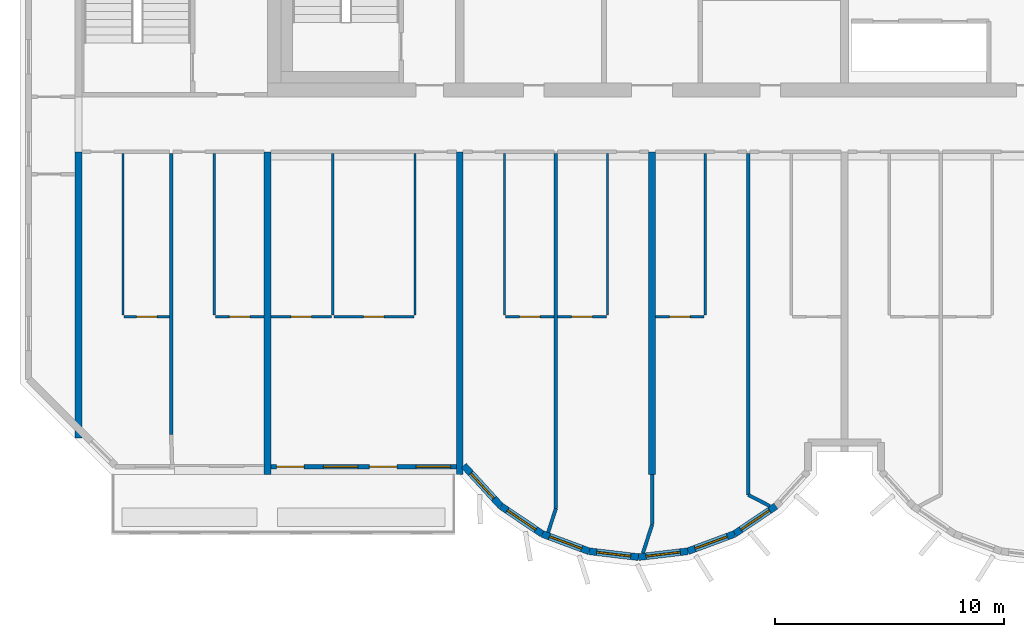
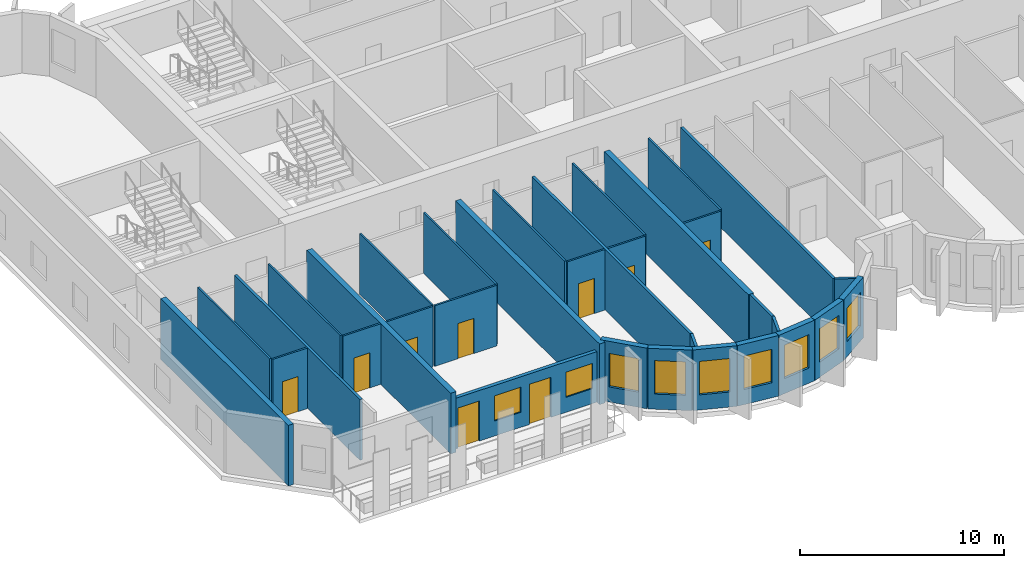
# One storey, part 2 of 11: 33 walls, 9 doors, 9 windows, 18 openings.
"""IFC4 building model written with IfcOpenShell, lengths in metres."""

from ifc_helpers import new_model, si_unit, direction, frame, frame_2d, origin, place, context, subcontext, project, spatial, rectangle, extrude, source, transform, mapped, material, layer, layer_set, type_object, element, fill, save


model = new_model("IFC4")

# Units and contexts
model_context = context("Model", 3, precision=1e-05, world=origin(), true_north=direction((0.0, 1.0)))
body_context = subcontext(model_context, "Body", "Model", "MODEL_VIEW")
ifc_project = project(units=[si_unit("LENGTHUNIT", "METRE"), si_unit("AREAUNIT", "SQUARE_METRE"), si_unit("VOLUMEUNIT", "CUBIC_METRE"), si_unit("PLANEANGLEUNIT", "RADIAN"), si_unit("MASSUNIT", "GRAM", prefix="KILO")], contexts=[model_context])

# Site, building, storey
site_placement = place(None, origin())
site = spatial("IfcSite", under=ifc_project, at=site_placement, CompositionType="ELEMENT")
building_placement = place(site_placement, origin())
building = spatial("IfcBuilding", under=site, at=building_placement, Name="Vanashikhar Sky Hotel", CompositionType="ELEMENT")
storey_placement = place(building_placement, frame((0.0, 0.0, 229.60009765625)))
storey = spatial("IfcBuildingStorey", under=building, at=storey_placement, Name="L55", CompositionType="ELEMENT", Elevation=229.60009765625)

# Walls
ifc_material_1 = material(Name="Concrete M60", Category="concrete")
ifc_layer_1 = layer(ifc_material_1, 0.300048828125)
ifc_layer_set_1 = layer_set([ifc_layer_1], Name="RC shear wall 300 Concrete M60")
wall_type_1 = type_object("IfcWallType", Name="RC shear wall 300 Concrete M60", PredefinedType="SHEAR", material=ifc_layer_set_1)
shared_shape_1 = source(origin(), body_context, "Body", "SweptSolid", [
    extrude(rectangle(XDim=12.5, YDim=0.300048828125, at=frame_2d((6.25, 0.0))), origin(), (0.0, 0.0, 1.0), 3.619873046875),
])
wall_1_placement = place(storey_placement, frame((16.949951171875, 7.10009765625, 0.0), z_axis=(0.0, 0.0, 1.0), x_axis=(0.0, 1.0, 0.0)))
element("IfcWall", 1, at=wall_1_placement, inside=storey, type_object=wall_type_1, Name="CW-L55-XW03-1", PredefinedType="SHEAR", context=body_context, shape_type="MappedRepresentation", body=[
    mapped(shared_shape_1, transform((0.0, 0.0, 0.0), scale=1.0)),
])
shared_shape_2 = source(origin(), body_context, "Body", "SweptSolid", [
    extrude(rectangle(XDim=14.10009765625, YDim=0.300048828125, at=frame_2d((7.050048828125, 0.0))), origin(), (0.0, 0.0, 1.0), 3.619873046875),
])
for number, where, z_axis, x_axis, name in (
    (2, (25.199951171875, 5.5, 0.0), (0.0, 0.0, 1.0), (0.0, 1.0, 0.0), "CW-L55-XW04-1"),
    (3, (33.60009765625, 5.5, 0.0), (0.0, 0.0, 1.0), (0.0, 1.0, 0.0), "CW-L55-XW05-1"),
    (4, (42.0, 5.5, 0.0), (0.0, 0.0, 1.0), (0.0, 1.0, 0.0), "CW-L55-XW06-1"),
):
    element("IfcWall", number, at=place(storey_placement, frame(where, z_axis=z_axis, x_axis=x_axis)), inside=storey, type_object=wall_type_1, Name=name, PredefinedType="SHEAR", context=body_context, shape_type="MappedRepresentation", body=[
        mapped(shared_shape_2, transform((0.0, 0.0, 0.0), scale=1.0)),
    ])

# Wall, openings, windows, doors
ifc_material_2 = material(Name="Concrete M50", Category="concrete")
ifc_layer_2 = layer(ifc_material_2, 0.199951171875)
ifc_layer_set_2 = layer_set([ifc_layer_2], Name="Front window wall 200")
wall_type_2 = type_object("IfcWallType", Name="Front window wall 200", PredefinedType="SOLIDWALL", material=ifc_layer_set_2)
shared_shape_3 = source(origin(), body_context, "Body", "SweptSolid", [
    extrude(rectangle(XDim=8.099853515625, YDim=0.199951171875, at=frame_2d((4.0498046875, 0.0))), origin(), (0.0, 0.0, 1.0), 3.02001953125),
])
wall_2_placement = place(storey_placement, frame((25.35009765625, 5.85009765625, 0.0), z_axis=(0.0, 0.0, 1.0), x_axis=(1.0, 0.0, 0.0)))
wall_2 = element("IfcWall", 5, at=wall_2_placement, inside=storey, type_object=wall_type_2, Name="Front window wall", PredefinedType="SOLIDWALL", context=body_context, shape_type="MappedRepresentation", body=[
    mapped(shared_shape_3, transform((0.0, 0.0, 0.0), scale=1.0)),
])
shared_shape_4 = source(origin(), body_context, "Body", "SweptSolid", [
    extrude(rectangle(XDim=1.199951171875, YDim=2.39990234375, at=frame_2d((0.60009765625, 1.199951171875))), frame((0.0, 0.10986328125, 0.0), z_axis=(0.0, -1.0, 0.0), x_axis=(1.0, 0.0, 0.0)), (0.0, 0.0, 1.0), 0.219970703125),
])
opening_1_placement = place(wall_2_placement, frame((0.25, 0.0, 0.0)))
opening_1 = element("IfcOpeningElement", 6, at=opening_1_placement, cuts=wall_2, Name="Opening BD-01", PredefinedType="OPENING", context=body_context, shape_type="MappedRepresentation", body=[
    mapped(shared_shape_4, transform((0.0, 0.0, 0.0), scale=1.0)),
])
shared_shape_5 = source(origin(), body_context, "Body", "SweptSolid", [
    extrude(rectangle(XDim=1.5, YDim=1.5, at=frame_2d((0.75, 0.75))), frame((0.0, 0.10986328125, 0.0), z_axis=(0.0, -1.0, 0.0), x_axis=(1.0, 0.0, 0.0)), (0.0, 0.0, 1.0), 0.219970703125),
])
opening_2_placement = place(wall_2_placement, frame((2.300048828125, 0.0, 0.89990234375)))
opening_2 = element("IfcOpeningElement", 7, at=opening_2_placement, cuts=wall_2, Name="Opening WN-1", PredefinedType="OPENING", context=body_context, shape_type="MappedRepresentation", body=[
    mapped(shared_shape_5, transform((0.0, 0.0, 0.0), scale=1.0)),
])
opening_3_placement = place(wall_2_placement, frame((4.300048828125, 0.0, 0.0)))
opening_3 = element("IfcOpeningElement", 8, at=opening_3_placement, cuts=wall_2, Name="Opening BD-02", PredefinedType="OPENING", context=body_context, shape_type="MappedRepresentation", body=[
    mapped(shared_shape_4, transform((0.0, 0.0, 0.0), scale=1.0)),
])
opening_4_placement = place(wall_2_placement, frame((6.35009765625, 0.0, 0.89990234375)))
opening_4 = element("IfcOpeningElement", 9, at=opening_4_placement, cuts=wall_2, Name="Opening WN-1", PredefinedType="OPENING", context=body_context, shape_type="MappedRepresentation", body=[
    mapped(shared_shape_5, transform((0.0, 0.0, 0.0), scale=1.0)),
])
ifc_material_3 = material(Name="Glass", Category="glass")
window_type_1 = type_object("IfcWindowType", Name="Window 1500 x 1500", PartitioningType="SINGLE_PANEL", PredefinedType="WINDOW", material=ifc_material_3)
shared_shape_6 = source(origin(), body_context, "Body", "SweptSolid", [
    extrude(rectangle(XDim=1.5, YDim=1.5, at=frame_2d((0.75, 0.75))), frame((0.0, 0.030029296875, 0.0), z_axis=(0.0, -1.0, 0.0), x_axis=(1.0, 0.0, 0.0)), (0.0, 0.0, 1.0), 0.06005859375),
])
window_1_placement = place(opening_2_placement, origin())
window_1 = element("IfcWindow", 10, at=window_1_placement, inside=storey, type_object=window_type_1, Name="Window WN-1", OverallHeight=1.5, OverallWidth=1.5, PartitioningType="SINGLE_PANEL", PredefinedType="WINDOW", context=body_context, shape_type="MappedRepresentation", body=[
    mapped(shared_shape_6, transform((0.0, 0.0, 0.0), scale=1.0)),
])
fill(opening_2, window_1)
window_2_placement = place(opening_4_placement, origin())
window_2 = element("IfcWindow", 11, at=window_2_placement, inside=storey, type_object=window_type_1, Name="Window WN-1", OverallHeight=1.5, OverallWidth=1.5, PartitioningType="SINGLE_PANEL", PredefinedType="WINDOW", context=body_context, shape_type="MappedRepresentation", body=[
    mapped(shared_shape_6, transform((0.0, 0.0, 0.0), scale=1.0)),
])
fill(opening_4, window_2)
ifc_material_4 = material(Name="Aluminium", Category="aluminium")
door_type_1 = type_object("IfcDoorType", Name="Balcony sliding door 1200 x 2400", OperationType="NOTDEFINED", PredefinedType="DOOR", material=ifc_material_4)
shared_shape_7 = source(origin(), body_context, "Body", "SweptSolid", [
    extrude(rectangle(XDim=1.199951171875, YDim=2.39990234375, at=frame_2d((0.60009765625, 1.199951171875))), frame((0.0, 0.02490234375, 0.0), z_axis=(0.0, -1.0, 0.0), x_axis=(1.0, 0.0, 0.0)), (0.0, 0.0, 1.0), 0.050048828125),
])
door_1_placement = place(opening_1_placement, origin())
door_1 = element("IfcDoor", 12, at=door_1_placement, inside=storey, type_object=door_type_1, Name="Balcony sliding door", OperationType="SLIDING_TO_LEFT", OverallHeight=2.39990234375, OverallWidth=1.199951171875, PredefinedType="DOOR", context=body_context, shape_type="MappedRepresentation", body=[
    mapped(shared_shape_7, transform((0.0, 0.0, 0.0), scale=1.0)),
])
fill(opening_1, door_1)
door_2_placement = place(opening_3_placement, origin())
door_2 = element("IfcDoor", 13, at=door_2_placement, inside=storey, type_object=door_type_1, Name="Balcony sliding door", OperationType="SLIDING_TO_RIGHT", OverallHeight=2.39990234375, OverallWidth=1.199951171875, PredefinedType="DOOR", context=body_context, shape_type="MappedRepresentation", body=[
    mapped(shared_shape_7, transform((0.0, 0.0, 0.0), scale=1.0)),
])
fill(opening_3, door_2)

# Wall, opening, window
ifc_layer_3 = layer(ifc_material_2, 0.300048828125)
ifc_layer_set_3 = layer_set([ifc_layer_3], Name="Lobe wall 300")
wall_type_3 = type_object("IfcWallType", Name="Lobe wall 300", PredefinedType="SOLIDWALL", material=ifc_layer_set_3)
shared_shape_8 = source(origin(), body_context, "Body", "SweptSolid", [
    extrude(rectangle(XDim=2.398193359375, YDim=0.300048828125, at=frame_2d((1.19921875, 0.0))), origin(), (0.0, 0.0, 1.0), 3.619873046875),
])
wall_3_placement = place(storey_placement, frame((33.776123046875, 5.89990234375, 0.0), z_axis=(0.0, 0.0, 1.0), x_axis=(0.675374189419, -0.737475222815, 0.0)))
wall_3 = element("IfcWall", 14, at=wall_3_placement, inside=storey, type_object=wall_type_3, Name="Lobe wall", PredefinedType="SOLIDWALL", context=body_context, shape_type="MappedRepresentation", body=[
    mapped(shared_shape_8, transform((0.0, 0.0, 0.0), scale=1.0)),
])
shared_shape_9 = source(origin(), body_context, "Body", "SweptSolid", [
    extrude(rectangle(XDim=1.5, YDim=2.0, at=frame_2d((0.75, 1.0))), frame((0.0, 0.16015625, 0.0), z_axis=(0.0, -1.0, 0.0), x_axis=(1.0, 0.0, 0.0)), (0.0, 0.0, 1.0), 0.320068359375),
])
opening_5_placement = place(wall_3_placement, frame((0.44921875, 0.0, 0.89990234375)))
opening_5 = element("IfcOpeningElement", 15, at=opening_5_placement, cuts=wall_3, Name="Opening WN-2", PredefinedType="OPENING", context=body_context, shape_type="MappedRepresentation", body=[
    mapped(shared_shape_9, transform((0.0, 0.0, 0.0), scale=1.0)),
])
window_type_2 = type_object("IfcWindowType", Name="Lobe window 1500 x 2000", PartitioningType="SINGLE_PANEL", PredefinedType="WINDOW", material=ifc_material_3)
shared_shape_10 = source(origin(), body_context, "Body", "SweptSolid", [
    extrude(rectangle(XDim=1.5, YDim=2.0, at=frame_2d((0.75, 1.0))), frame((0.0, 0.030029296875, 0.0), z_axis=(0.0, -1.0, 0.0), x_axis=(1.0, 0.0, 0.0)), (0.0, 0.0, 1.0), 0.06005859375),
])
window_3_placement = place(opening_5_placement, origin())
window_3 = element("IfcWindow", 16, at=window_3_placement, inside=storey, type_object=window_type_2, Name="Window WN-2", OverallHeight=2.0, OverallWidth=1.5, PartitioningType="SINGLE_PANEL", PredefinedType="WINDOW", context=body_context, shape_type="MappedRepresentation", body=[
    mapped(shared_shape_10, transform((0.0, 0.0, 0.0), scale=1.0)),
])
fill(opening_5, window_3)

shared_shape_11 = source(origin(), body_context, "Body", "SweptSolid", [
    extrude(rectangle(XDim=2.17578125, YDim=0.300048828125, at=frame_2d((1.087890625, 0.0))), origin(), (0.0, 0.0, 1.0), 3.619873046875),
])
wall_4_placement = place(storey_placement, frame((35.395751953125, 4.13134765625, 0.0), z_axis=(0.0, 0.0, 1.0), x_axis=(0.829590746428, -0.558371913192, 0.0)))
wall_4 = element("IfcWall", 17, at=wall_4_placement, inside=storey, type_object=wall_type_3, Name="Lobe wall", PredefinedType="SOLIDWALL", context=body_context, shape_type="MappedRepresentation", body=[
    mapped(shared_shape_11, transform((0.0, 0.0, 0.0), scale=1.0)),
])
opening_6_placement = place(wall_4_placement, frame((0.337890625, 0.0, 0.89990234375)))
opening_6 = element("IfcOpeningElement", 18, at=opening_6_placement, cuts=wall_4, Name="Opening WN-2", PredefinedType="OPENING", context=body_context, shape_type="MappedRepresentation", body=[
    mapped(shared_shape_9, transform((0.0, 0.0, 0.0), scale=1.0)),
])
window_4_placement = place(opening_6_placement, origin())
window_4 = element("IfcWindow", 19, at=window_4_placement, inside=storey, type_object=window_type_2, Name="Window WN-2", OverallHeight=2.0, OverallWidth=1.5, PartitioningType="SINGLE_PANEL", PredefinedType="WINDOW", context=body_context, shape_type="MappedRepresentation", body=[
    mapped(shared_shape_10, transform((0.0, 0.0, 0.0), scale=1.0)),
])
fill(opening_6, window_4)

wall_5_placement = place(storey_placement, frame((37.20068359375, 2.91650390625, 0.0), z_axis=(0.0, 0.0, 1.0), x_axis=(0.93754555999, -0.347862505801, 0.0)))
wall_5 = element("IfcWall", 20, at=wall_5_placement, inside=storey, type_object=wall_type_3, Name="Lobe wall", PredefinedType="SOLIDWALL", context=body_context, shape_type="MappedRepresentation", body=[
    mapped(shared_shape_11, transform((0.0, 0.0, 0.0), scale=1.0)),
])
opening_7_placement = place(wall_5_placement, frame((0.337890625, 0.0, 0.89990234375)))
opening_7 = element("IfcOpeningElement", 21, at=opening_7_placement, cuts=wall_5, Name="Opening WN-2", PredefinedType="OPENING", context=body_context, shape_type="MappedRepresentation", body=[
    mapped(shared_shape_9, transform((0.0, 0.0, 0.0), scale=1.0)),
])
window_5_placement = place(opening_7_placement, origin())
window_5 = element("IfcWindow", 22, at=window_5_placement, inside=storey, type_object=window_type_2, Name="Window WN-2", OverallHeight=2.0, OverallWidth=1.5, PartitioningType="SINGLE_PANEL", PredefinedType="WINDOW", context=body_context, shape_type="MappedRepresentation", body=[
    mapped(shared_shape_10, transform((0.0, 0.0, 0.0), scale=1.0)),
])
fill(opening_7, window_5)

wall_6_placement = place(storey_placement, frame((45.59912109375, 2.91650390625, 0.0), z_axis=(0.0, 0.0, 1.0), x_axis=(0.829625727223, 0.558319937607, 0.0)))
wall_6 = element("IfcWall", 23, at=wall_6_placement, inside=storey, type_object=wall_type_3, Name="Lobe wall", PredefinedType="SOLIDWALL", context=body_context, shape_type="MappedRepresentation", body=[
    mapped(shared_shape_11, transform((0.0, 0.0, 0.0), scale=1.0)),
])
opening_8_placement = place(wall_6_placement, frame((0.337890625, 0.0, 0.89990234375)))
opening_8 = element("IfcOpeningElement", 24, at=opening_8_placement, cuts=wall_6, Name="Opening WN-2", PredefinedType="OPENING", context=body_context, shape_type="MappedRepresentation", body=[
    mapped(shared_shape_9, transform((0.0, 0.0, 0.0), scale=1.0)),
])
window_6_placement = place(opening_8_placement, origin())
window_6 = element("IfcWindow", 25, at=window_6_placement, inside=storey, type_object=window_type_2, Name="Window WN-2", OverallHeight=2.0, OverallWidth=1.5, PartitioningType="SINGLE_PANEL", PredefinedType="WINDOW", context=body_context, shape_type="MappedRepresentation", body=[
    mapped(shared_shape_10, transform((0.0, 0.0, 0.0), scale=1.0)),
])
fill(opening_8, window_6)

shared_shape_12 = source(origin(), body_context, "Body", "SweptSolid", [
    extrude(rectangle(XDim=2.174560546875, YDim=0.300048828125, at=frame_2d((1.08740234375, 0.0))), origin(), (0.0, 0.0, 1.0), 3.619873046875),
])
wall_7_placement = place(storey_placement, frame((39.240478515625, 2.15966796875, 0.0), z_axis=(0.0, 0.0, 1.0), x_axis=(0.993001132889, -0.118104826659, 0.0)))
wall_7 = element("IfcWall", 26, at=wall_7_placement, inside=storey, type_object=wall_type_3, Name="Lobe wall", PredefinedType="SOLIDWALL", context=body_context, shape_type="MappedRepresentation", body=[
    mapped(shared_shape_12, transform((0.0, 0.0, 0.0), scale=1.0)),
])
opening_9_placement = place(wall_7_placement, frame((0.33740234375, 0.0, 0.89990234375)))
opening_9 = element("IfcOpeningElement", 27, at=opening_9_placement, cuts=wall_7, Name="Opening WN-2", PredefinedType="OPENING", context=body_context, shape_type="MappedRepresentation", body=[
    mapped(shared_shape_9, transform((0.0, 0.0, 0.0), scale=1.0)),
])
window_7_placement = place(opening_9_placement, origin())
window_7 = element("IfcWindow", 28, at=window_7_placement, inside=storey, type_object=window_type_2, Name="Window WN-2", OverallHeight=2.0, OverallWidth=1.5, PartitioningType="SINGLE_PANEL", PredefinedType="WINDOW", context=body_context, shape_type="MappedRepresentation", body=[
    mapped(shared_shape_10, transform((0.0, 0.0, 0.0), scale=1.0)),
])
fill(opening_9, window_7)

shared_shape_13 = source(origin(), body_context, "Body", "SweptSolid", [
    extrude(rectangle(XDim=2.1748046875, YDim=0.300048828125, at=frame_2d((1.08740234375, 0.0))), origin(), (0.0, 0.0, 1.0), 3.619873046875),
])
wall_8_placement = place(storey_placement, frame((41.39990234375, 1.90283203125, 0.0), z_axis=(0.0, 0.0, 1.0), x_axis=(0.993002698611, 0.118091661648, 0.0)))
wall_8 = element("IfcWall", 29, at=wall_8_placement, inside=storey, type_object=wall_type_3, Name="Lobe wall", PredefinedType="SOLIDWALL", context=body_context, shape_type="MappedRepresentation", body=[
    mapped(shared_shape_13, transform((0.0, 0.0, 0.0), scale=1.0)),
])
opening_10_placement = place(wall_8_placement, frame((0.33740234375, 0.0, 0.89990234375)))
opening_10 = element("IfcOpeningElement", 30, at=opening_10_placement, cuts=wall_8, Name="Opening WN-2", PredefinedType="OPENING", context=body_context, shape_type="MappedRepresentation", body=[
    mapped(shared_shape_9, transform((0.0, 0.0, 0.0), scale=1.0)),
])
window_8_placement = place(opening_10_placement, origin())
window_8 = element("IfcWindow", 31, at=window_8_placement, inside=storey, type_object=window_type_2, Name="Window WN-2", OverallHeight=2.0, OverallWidth=1.5, PartitioningType="SINGLE_PANEL", PredefinedType="WINDOW", context=body_context, shape_type="MappedRepresentation", body=[
    mapped(shared_shape_10, transform((0.0, 0.0, 0.0), scale=1.0)),
])
fill(opening_10, window_8)

shared_shape_14 = source(origin(), body_context, "Body", "SweptSolid", [
    extrude(rectangle(XDim=2.175537109375, YDim=0.300048828125, at=frame_2d((1.087890625, 0.0))), origin(), (0.0, 0.0, 1.0), 3.619873046875),
])
wall_9_placement = place(storey_placement, frame((43.5595703125, 2.15966796875, 0.0), z_axis=(0.0, 0.0, 1.0), x_axis=(0.937531979054, 0.347899106424, 0.0)))
wall_9 = element("IfcWall", 32, at=wall_9_placement, inside=storey, type_object=wall_type_3, Name="Lobe wall", PredefinedType="SOLIDWALL", context=body_context, shape_type="MappedRepresentation", body=[
    mapped(shared_shape_14, transform((0.0, 0.0, 0.0), scale=1.0)),
])
opening_11_placement = place(wall_9_placement, frame((0.337890625, 0.0, 0.89990234375)))
opening_11 = element("IfcOpeningElement", 33, at=opening_11_placement, cuts=wall_9, Name="Opening WN-2", PredefinedType="OPENING", context=body_context, shape_type="MappedRepresentation", body=[
    mapped(shared_shape_9, transform((0.0, 0.0, 0.0), scale=1.0)),
])
window_9_placement = place(opening_11_placement, origin())
window_9 = element("IfcWindow", 34, at=window_9_placement, inside=storey, type_object=window_type_2, Name="Window WN-2", OverallHeight=2.0, OverallWidth=1.5, PartitioningType="SINGLE_PANEL", PredefinedType="WINDOW", context=body_context, shape_type="MappedRepresentation", body=[
    mapped(shared_shape_10, transform((0.0, 0.0, 0.0), scale=1.0)),
])
fill(opening_11, window_9)

# Walls
ifc_material_5 = material(Name="Gypsum plasterboard partition")
ifc_layer_4 = layer(ifc_material_5, 0.10009765625)
ifc_layer_set_4 = layer_set([ifc_layer_4], Name="Wet room partition 100")
wall_type_4 = type_object("IfcWallType", Name="Wet room partition 100", PredefinedType="PARTITIONING", material=ifc_layer_set_4)
shared_shape_15 = source(origin(), body_context, "Body", "SweptSolid", [
    extrude(rectangle(XDim=7.0498046875, YDim=0.10009765625, at=frame_2d((3.52490234375, 0.0))), origin(), (0.0, 0.0, 1.0), 3.619873046875),
])
for number, where, z_axis, x_axis, name in (
    (35, (18.89990234375, 12.47509765625, 0.0), (0.0, 0.0, 1.0), (0.0, 1.0, 0.0), "W-L55-PW001"),
    (36, (22.875, 12.47509765625, 0.0), (0.0, 0.0, 1.0), (0.0, 1.0, 0.0), "W-L55-PW004"),
    (37, (31.64990234375, 12.47509765625, 0.0), (0.0, 0.0, 1.0), (0.0, 1.0, 0.0), "W-L55-PW008"),
    (38, (28.050048828125, 12.47509765625, 0.0), (0.0, 0.0, 1.0), (0.0, 1.0, 0.0), "W-L55-PW009"),
    (39, (35.550048828125, 12.47509765625, 0.0), (0.0, 0.0, 1.0), (0.0, 1.0, 0.0), "W-L55-PW013"),
    (40, (40.050048828125, 12.47509765625, 0.0), (0.0, 0.0, 1.0), (0.0, 1.0, 0.0), "W-L55-PW016"),
    (41, (44.324951171875, 12.47509765625, 0.0), (0.0, 0.0, 1.0), (0.0, 1.0, 0.0), "W-L55-PW020"),
):
    element("IfcWall", number, at=place(storey_placement, frame(where, z_axis=z_axis, x_axis=x_axis)), inside=storey, type_object=wall_type_4, Name=name, PredefinedType="PARTITIONING", context=body_context, shape_type="MappedRepresentation", body=[
        mapped(shared_shape_15, transform((0.0, 0.0, 0.0), scale=1.0)),
    ])

# Wall, opening, door
shared_shape_16 = source(origin(), body_context, "Body", "SweptSolid", [
    extrude(rectangle(XDim=1.97509765625, YDim=0.10009765625, at=frame_2d((0.987548828125, 0.0))), origin(), (0.0, 0.0, 1.0), 3.619873046875),
])
wall_10_placement = place(storey_placement, frame((18.949951171875, 12.39990234375, 0.0), z_axis=(0.0, 0.0, 1.0), x_axis=(1.0, 0.0, 0.0)))
wall_10 = element("IfcWall", 42, at=wall_10_placement, inside=storey, type_object=wall_type_4, Name="W-L55-PW002", PredefinedType="PARTITIONING", context=body_context, shape_type="MappedRepresentation", body=[
    mapped(shared_shape_16, transform((0.0, 0.0, 0.0), scale=1.0)),
])
shared_shape_17 = source(origin(), body_context, "Body", "SweptSolid", [
    extrude(rectangle(XDim=0.89990234375, YDim=2.10009765625, at=frame_2d((0.449951171875, 1.050048828125))), frame((0.0, 0.06005859375, 0.0), z_axis=(0.0, -1.0, 0.0), x_axis=(1.0, 0.0, 0.0)), (0.0, 0.0, 1.0), 0.1201171875),
])
opening_12_placement = place(wall_10_placement, frame((0.5380859375, 0.0, 0.0)))
opening_12 = element("IfcOpeningElement", 43, at=opening_12_placement, cuts=wall_10, Name="Opening D-02", PredefinedType="OPENING", context=body_context, shape_type="MappedRepresentation", body=[
    mapped(shared_shape_17, transform((0.0, 0.0, 0.0), scale=1.0)),
])
ifc_material_6 = material(Name="Timber door", Category="wood")
door_type_2 = type_object("IfcDoorType", Name="Internal door 900", OperationType="NOTDEFINED", PredefinedType="DOOR", material=ifc_material_6)
shared_shape_18 = source(origin(), body_context, "Body", "SweptSolid", [
    extrude(rectangle(XDim=0.89990234375, YDim=2.10009765625, at=frame_2d((0.449951171875, 1.050048828125))), frame((0.0, 0.02490234375, 0.0), z_axis=(0.0, -1.0, 0.0), x_axis=(1.0, 0.0, 0.0)), (0.0, 0.0, 1.0), 0.050048828125),
])
door_3_placement = place(opening_12_placement, origin())
door_3 = element("IfcDoor", 44, at=door_3_placement, inside=storey, type_object=door_type_2, Name="D-L55-001", OperationType="SINGLE_SWING_LEFT", OverallHeight=2.10009765625, OverallWidth=0.89990234375, PredefinedType="DOOR", context=body_context, shape_type="MappedRepresentation", body=[
    mapped(shared_shape_18, transform((0.0, 0.0, 0.0), scale=1.0)),
])
fill(opening_12, door_3)

shared_shape_19 = source(origin(), body_context, "Body", "SweptSolid", [
    extrude(rectangle(XDim=2.125, YDim=0.10009765625, at=frame_2d((1.0625, 0.0))), origin(), (0.0, 0.0, 1.0), 3.619873046875),
])
wall_11_placement = place(storey_placement, frame((22.925048828125, 12.39990234375, 0.0), z_axis=(0.0, 0.0, 1.0), x_axis=(1.0, 0.0, 0.0)))
wall_11 = element("IfcWall", 45, at=wall_11_placement, inside=storey, type_object=wall_type_4, Name="W-L55-PW005", PredefinedType="PARTITIONING", context=body_context, shape_type="MappedRepresentation", body=[
    mapped(shared_shape_19, transform((0.0, 0.0, 0.0), scale=1.0)),
])
opening_13_placement = place(wall_11_placement, frame((0.613037109375, 0.0, 0.0)))
opening_13 = element("IfcOpeningElement", 46, at=opening_13_placement, cuts=wall_11, Name="Opening D-02", PredefinedType="OPENING", context=body_context, shape_type="MappedRepresentation", body=[
    mapped(shared_shape_17, transform((0.0, 0.0, 0.0), scale=1.0)),
])
door_4_placement = place(opening_13_placement, origin())
door_4 = element("IfcDoor", 47, at=door_4_placement, inside=storey, type_object=door_type_2, Name="D-L55-003", OperationType="SINGLE_SWING_LEFT", OverallHeight=2.10009765625, OverallWidth=0.89990234375, PredefinedType="DOOR", context=body_context, shape_type="MappedRepresentation", body=[
    mapped(shared_shape_18, transform((0.0, 0.0, 0.0), scale=1.0)),
])
fill(opening_13, door_4)

wall_12_placement = place(storey_placement, frame((35.60009765625, 12.39990234375, 0.0), z_axis=(0.0, 0.0, 1.0), x_axis=(1.0, 0.0, 0.0)))
wall_12 = element("IfcWall", 48, at=wall_12_placement, inside=storey, type_object=wall_type_4, Name="W-L55-PW014", PredefinedType="PARTITIONING", context=body_context, shape_type="MappedRepresentation", body=[
    mapped(shared_shape_19, transform((0.0, 0.0, 0.0), scale=1.0)),
])
opening_14_placement = place(wall_12_placement, frame((0.612060546875, 0.0, 0.0)))
opening_14 = element("IfcOpeningElement", 49, at=opening_14_placement, cuts=wall_12, Name="Opening D-02", PredefinedType="OPENING", context=body_context, shape_type="MappedRepresentation", body=[
    mapped(shared_shape_17, transform((0.0, 0.0, 0.0), scale=1.0)),
])
door_5_placement = place(opening_14_placement, origin())
door_5 = element("IfcDoor", 50, at=door_5_placement, inside=storey, type_object=door_type_2, Name="D-L55-008", OperationType="SINGLE_SWING_LEFT", OverallHeight=2.10009765625, OverallWidth=0.89990234375, PredefinedType="DOOR", context=body_context, shape_type="MappedRepresentation", body=[
    mapped(shared_shape_18, transform((0.0, 0.0, 0.0), scale=1.0)),
])
fill(opening_14, door_5)

wall_13_placement = place(storey_placement, frame((37.875, 12.39990234375, 0.0), z_axis=(0.0, 0.0, 1.0), x_axis=(1.0, 0.0, 0.0)))
wall_13 = element("IfcWall", 51, at=wall_13_placement, inside=storey, type_object=wall_type_4, Name="W-L55-PW017", PredefinedType="PARTITIONING", context=body_context, shape_type="MappedRepresentation", body=[
    mapped(shared_shape_19, transform((0.0, 0.0, 0.0), scale=1.0)),
])
opening_15_placement = place(wall_13_placement, frame((0.612060546875, 0.0, 0.0)))
opening_15 = element("IfcOpeningElement", 52, at=opening_15_placement, cuts=wall_13, Name="Opening D-02", PredefinedType="OPENING", context=body_context, shape_type="MappedRepresentation", body=[
    mapped(shared_shape_17, transform((0.0, 0.0, 0.0), scale=1.0)),
])
door_6_placement = place(opening_15_placement, origin())
door_6 = element("IfcDoor", 53, at=door_6_placement, inside=storey, type_object=door_type_2, Name="D-L55-010", OperationType="SINGLE_SWING_RIGHT", OverallHeight=2.10009765625, OverallWidth=0.89990234375, PredefinedType="DOOR", context=body_context, shape_type="MappedRepresentation", body=[
    mapped(shared_shape_18, transform((0.0, 0.0, 0.0), scale=1.0)),
])
fill(opening_15, door_6)

wall_14_placement = place(storey_placement, frame((42.14990234375, 12.39990234375, 0.0), z_axis=(0.0, 0.0, 1.0), x_axis=(1.0, 0.0, 0.0)))
wall_14 = element("IfcWall", 54, at=wall_14_placement, inside=storey, type_object=wall_type_4, Name="W-L55-PW021", PredefinedType="PARTITIONING", context=body_context, shape_type="MappedRepresentation", body=[
    mapped(shared_shape_19, transform((0.0, 0.0, 0.0), scale=1.0)),
])
opening_16_placement = place(wall_14_placement, frame((0.613037109375, 0.0, 0.0)))
opening_16 = element("IfcOpeningElement", 55, at=opening_16_placement, cuts=wall_14, Name="Opening D-02", PredefinedType="OPENING", context=body_context, shape_type="MappedRepresentation", body=[
    mapped(shared_shape_17, transform((0.0, 0.0, 0.0), scale=1.0)),
])
door_7_placement = place(opening_16_placement, origin())
door_7 = element("IfcDoor", 56, at=door_7_placement, inside=storey, type_object=door_type_2, Name="D-L55-012", OperationType="SINGLE_SWING_RIGHT", OverallHeight=2.10009765625, OverallWidth=0.89990234375, PredefinedType="DOOR", context=body_context, shape_type="MappedRepresentation", body=[
    mapped(shared_shape_18, transform((0.0, 0.0, 0.0), scale=1.0)),
])
fill(opening_16, door_7)

# Wall
ifc_layer_5 = layer(ifc_material_5, 0.14990234375)
ifc_layer_set_5 = layer_set([ifc_layer_5], Name="Corridor and demising partition 150")
wall_type_5 = type_object("IfcWallType", Name="Corridor and demising partition 150", PredefinedType="PARTITIONING", material=ifc_layer_set_5)
shared_shape_20 = source(origin(), body_context, "Body", "SweptSolid", [
    extrude(rectangle(XDim=12.27490234375, YDim=0.14990234375, at=frame_2d((6.137451171875, 0.0))), origin(), (0.0, 0.0, 1.0), 3.619873046875),
])
wall_15_placement = place(storey_placement, frame((21.0, 7.25, 0.0), z_axis=(0.0, 0.0, 1.0), x_axis=(0.0, 1.0, 0.0)))
element("IfcWall", 57, at=wall_15_placement, inside=storey, type_object=wall_type_5, Name="W-L55-PW007", PredefinedType="PARTITIONING", context=body_context, shape_type="MappedRepresentation", body=[
    mapped(shared_shape_20, transform((0.0, 0.0, 0.0), scale=1.0)),
])

# Wall, opening, door
shared_shape_21 = source(origin(), body_context, "Body", "SweptSolid", [
    extrude(rectangle(XDim=3.5, YDim=0.10009765625, at=frame_2d((1.75, 0.0))), origin(), (0.0, 0.0, 1.0), 3.619873046875),
])
wall_16_placement = place(storey_placement, frame((28.10009765625, 12.39990234375, 0.0), z_axis=(0.0, 0.0, 1.0), x_axis=(1.0, 0.0, 0.0)))
wall_16 = element("IfcWall", 58, at=wall_16_placement, inside=storey, type_object=wall_type_4, Name="W-L55-PW010", PredefinedType="PARTITIONING", context=body_context, shape_type="MappedRepresentation", body=[
    mapped(shared_shape_21, transform((0.0, 0.0, 0.0), scale=1.0)),
])
opening_17_placement = place(wall_16_placement, frame((1.300048828125, 0.0, 0.0)))
opening_17 = element("IfcOpeningElement", 59, at=opening_17_placement, cuts=wall_16, Name="Opening D-02", PredefinedType="OPENING", context=body_context, shape_type="MappedRepresentation", body=[
    mapped(shared_shape_17, transform((0.0, 0.0, 0.0), scale=1.0)),
])
door_8_placement = place(opening_17_placement, origin())
door_8 = element("IfcDoor", 60, at=door_8_placement, inside=storey, type_object=door_type_2, Name="D-L55-005", OperationType="SINGLE_SWING_RIGHT", OverallHeight=2.10009765625, OverallWidth=0.89990234375, PredefinedType="DOOR", context=body_context, shape_type="MappedRepresentation", body=[
    mapped(shared_shape_18, transform((0.0, 0.0, 0.0), scale=1.0)),
])
fill(opening_17, door_8)

shared_shape_22 = source(origin(), body_context, "Body", "SweptSolid", [
    extrude(rectangle(XDim=2.64990234375, YDim=0.10009765625, at=frame_2d((1.324951171875, 0.0))), origin(), (0.0, 0.0, 1.0), 3.619873046875),
])
wall_17_placement = place(storey_placement, frame((25.35009765625, 12.39990234375, 0.0), z_axis=(0.0, 0.0, 1.0), x_axis=(1.0, 0.0, 0.0)))
wall_17 = element("IfcWall", 61, at=wall_17_placement, inside=storey, type_object=wall_type_4, Name="W-L55-PW011", PredefinedType="PARTITIONING", context=body_context, shape_type="MappedRepresentation", body=[
    mapped(shared_shape_22, transform((0.0, 0.0, 0.0), scale=1.0)),
])
opening_18_placement = place(wall_17_placement, frame((0.875, 0.0, 0.0)))
opening_18 = element("IfcOpeningElement", 62, at=opening_18_placement, cuts=wall_17, Name="Opening D-02", PredefinedType="OPENING", context=body_context, shape_type="MappedRepresentation", body=[
    mapped(shared_shape_17, transform((0.0, 0.0, 0.0), scale=1.0)),
])
door_9_placement = place(opening_18_placement, origin())
door_9 = element("IfcDoor", 63, at=door_9_placement, inside=storey, type_object=door_type_2, Name="D-L55-006", OperationType="SINGLE_SWING_RIGHT", OverallHeight=2.10009765625, OverallWidth=0.89990234375, PredefinedType="DOOR", context=body_context, shape_type="MappedRepresentation", body=[
    mapped(shared_shape_18, transform((0.0, 0.0, 0.0), scale=1.0)),
])
fill(opening_18, door_9)

# Walls
shared_shape_23 = source(origin(), body_context, "Body", "SweptSolid", [
    extrude(rectangle(XDim=14.906005859375, YDim=0.14990234375, at=frame_2d((7.453125, 0.0))), origin(), (0.0, 0.0, 1.0), 3.619873046875),
])
wall_18_placement = place(storey_placement, frame((46.199951171875, 4.618896484375, 0.0), z_axis=(0.0, 0.0, 1.0), x_axis=(0.0, 1.0, 0.0)))
element("IfcWall", 64, at=wall_18_placement, inside=storey, type_object=wall_type_5, Name="W-L55-PW026", PredefinedType="PARTITIONING", context=body_context, shape_type="MappedRepresentation", body=[
    mapped(shared_shape_23, transform((0.0, 0.0, 0.0), scale=1.0)),
])
shared_shape_24 = source(origin(), body_context, "Body", "SweptSolid", [
    extrude(rectangle(XDim=15.497802734375, YDim=0.14990234375, at=frame_2d((7.7490234375, 0.0))), origin(), (0.0, 0.0, 1.0), 3.619873046875),
])
wall_19_placement = place(storey_placement, frame((37.800048828125, 4.027099609375, 0.0), z_axis=(0.0, 0.0, 1.0), x_axis=(0.0, 1.0, 0.0)))
element("IfcWall", 65, at=wall_19_placement, inside=storey, type_object=wall_type_5, Name="W-L55-PW019", PredefinedType="PARTITIONING", context=body_context, shape_type="MappedRepresentation", body=[
    mapped(shared_shape_24, transform((0.0, 0.0, 0.0), scale=1.0)),
])
shared_shape_25 = source(origin(), body_context, "Body", "SweptSolid", [
    extrude(rectangle(XDim=2.177978515625, YDim=0.14990234375, at=frame_2d((1.0888671875, 0.0))), origin(), (0.0, 0.0, 1.0), 3.619873046875),
])
wall_20_placement = place(storey_placement, frame((42.0, 3.322021484375, 0.0), z_axis=(0.0, 0.0, 1.0), x_axis=(0.0, 1.0, 0.0)))
element("IfcWall", 66, at=wall_20_placement, inside=storey, type_object=wall_type_5, Name="W-L55-PW047", PredefinedType="PARTITIONING", context=body_context, shape_type="MappedRepresentation", body=[
    mapped(shared_shape_25, transform((0.0, 0.0, 0.0), scale=1.0)),
])
shared_shape_26 = source(origin(), body_context, "Body", "SweptSolid", [
    extrude(rectangle(XDim=1.100830078125, YDim=0.14990234375, at=frame_2d((0.55029296875, 0.0))), origin(), (0.0, 0.0, 1.0), 3.619873046875),
])
wall_21_placement = place(storey_placement, frame((37.45703125, 2.98095703125, 0.0), z_axis=(0.0, 0.0, 1.0), x_axis=(0.311567081539, 0.950224159712, 0.0)))
element("IfcWall", 67, at=wall_21_placement, inside=storey, type_object=wall_type_5, Name="W-L55-PW019B0", PredefinedType="PARTITIONING", context=body_context, shape_type="MappedRepresentation", body=[
    mapped(shared_shape_26, transform((0.0, 0.0, 0.0), scale=1.0)),
])
shared_shape_27 = source(origin(), body_context, "Body", "SweptSolid", [
    extrude(rectangle(XDim=1.308349609375, YDim=0.14990234375, at=frame_2d((0.654296875, 0.0))), origin(), (0.0, 0.0, 1.0), 3.619873046875),
])
wall_22_placement = place(storey_placement, frame((41.597900390625, 2.076904296875, 0.0), z_axis=(0.0, 0.0, 1.0), x_axis=(0.307313512187, 0.951608325535, 0.0)))
element("IfcWall", 68, at=wall_22_placement, inside=storey, type_object=wall_type_5, Name="W-L55-PW047B0", PredefinedType="PARTITIONING", context=body_context, shape_type="MappedRepresentation", body=[
    mapped(shared_shape_27, transform((0.0, 0.0, 0.0), scale=1.0)),
])
shared_shape_28 = source(origin(), body_context, "Body", "SweptSolid", [
    extrude(rectangle(XDim=1.0576171875, YDim=0.14990234375, at=frame_2d((0.52880859375, 0.0))), origin(), (0.0, 0.0, 1.0), 3.619873046875),
])
wall_23_placement = place(storey_placement, frame((47.139892578125, 4.134033203125, 0.0), z_axis=(0.0, 0.0, 1.0), x_axis=(-0.888723819054, 0.458442988218, 0.0)))
element("IfcWall", 69, at=wall_23_placement, inside=storey, type_object=wall_type_5, Name="W-L55-PW026B0", PredefinedType="PARTITIONING", context=body_context, shape_type="MappedRepresentation", body=[
    mapped(shared_shape_28, transform((0.0, 0.0, 0.0), scale=1.0)),
])

save(model, "model.ifc")
